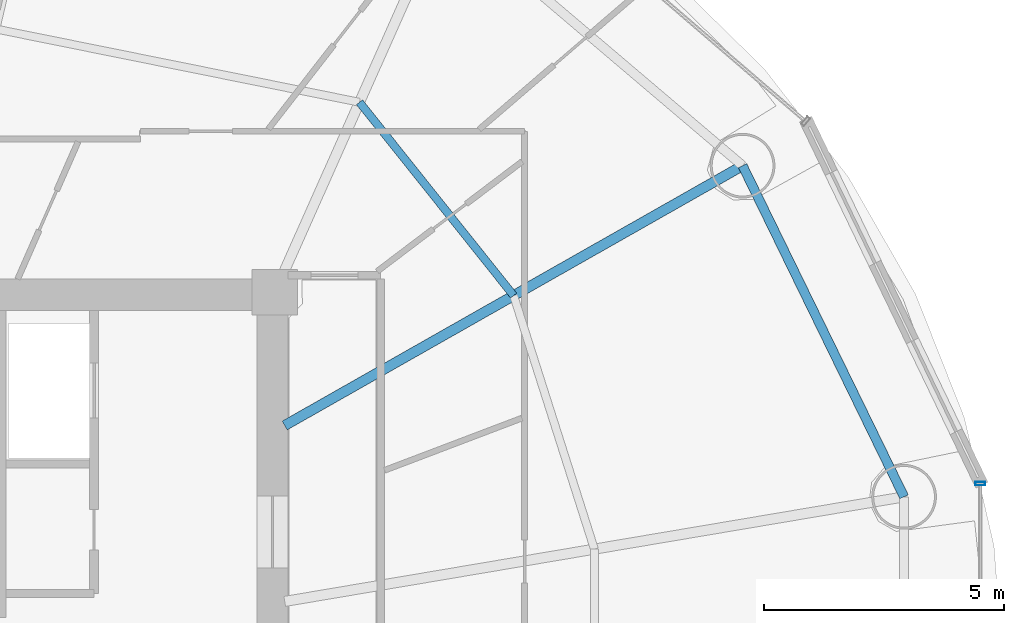
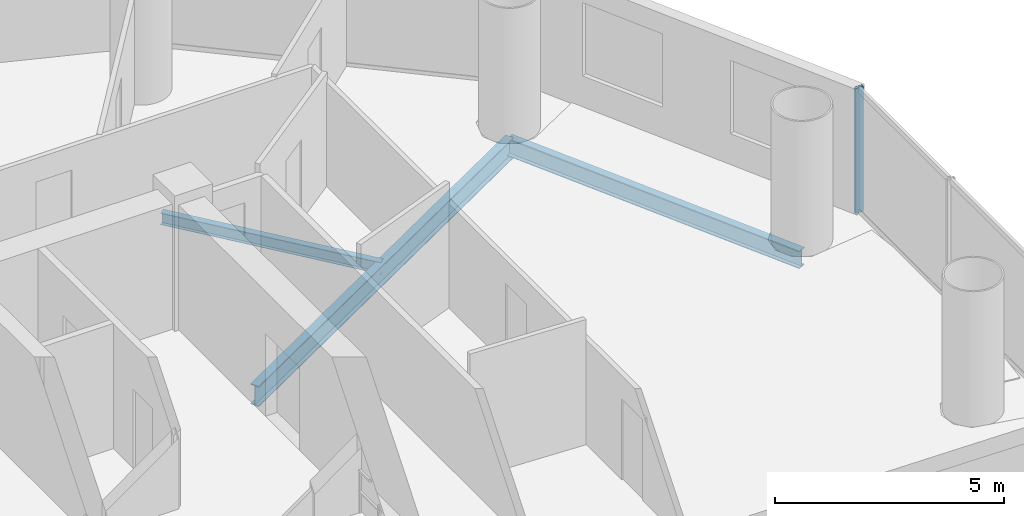
# One storey, part 13 of 26: 3 beams, 1 member, 1 element without a shape of its own.
"""IFC4 building model written with IfcOpenShell, lengths in metres."""

from ifc_helpers import new_model, si_unit, direction, frame, origin, origin_2d, place, context, subcontext, project, spatial, hollow_rectangle, i_section, extrude, source, transform, mapped, material, material_profile, profile_set, type_object, element, aggregate, save


model = new_model("IFC4")

# Units and contexts
model_context = context("Model", 3, precision=1e-05, world=origin(), true_north=direction((-0.2419218956, 0.970295726276)))
body_context = subcontext(model_context, "Body", "Model", "MODEL_VIEW")
ifc_project = project(units=[si_unit("LENGTHUNIT", "METRE"), si_unit("AREAUNIT", "SQUARE_METRE"), si_unit("VOLUMEUNIT", "CUBIC_METRE"), si_unit("PLANEANGLEUNIT", "RADIAN"), si_unit("MASSUNIT", "GRAM", prefix="KILO")], contexts=[model_context])

# Site, building, storey
site_placement = place(None, origin())
site = spatial("IfcSite", under=ifc_project, at=site_placement, CompositionType="ELEMENT")
building_placement = place(site_placement, origin())
building = spatial("IfcBuilding", under=site, at=building_placement, Name="Cobrevalo Terracotta Tower", CompositionType="ELEMENT")
storey_placement = place(building_placement, frame((0.0, 0.0, 178.60009765625)))
storey = spatial("IfcBuildingStorey", under=building, at=storey_placement, Name="L47", CompositionType="ELEMENT", Elevation=178.60009765625)

# Beams
ifc_material_1 = material(Name="Steel S355", Category="steel")
ifc_material_profile_1 = material_profile(ifc_material_1, i_section(OverallWidth=0.2109375, OverallDepth=0.5390625, WebThickness=0.01171875, FlangeThickness=0.018798828125, at=origin_2d()), Name="W 530x109")
ifc_profile_set_1 = profile_set([ifc_material_profile_1], Name="Steel S355")
beam_type_1 = type_object("IfcBeamType", Name="Structural Beam W 530x109 (Steel S355)", PredefinedType="BEAM", material=ifc_profile_set_1)
beam_1_placement = place(storey_placement, frame((56.749755859375, 37.439208984375, -0.53955078125), z_axis=(-0.869734177783, -0.493520475762, 0.0), x_axis=(0.493520475762, -0.869734177783, 0.0)))
element("IfcBeam", 1, at=beam_1_placement, inside=storey, type_object=beam_type_1, Name="L47 radial floor girder 02", PredefinedType="BEAM", context=body_context, shape_type="SweptSolid", body=[
    extrude(i_section(OverallWidth=0.2109375, OverallDepth=0.5390625, WebThickness=0.01171875, FlangeThickness=0.018798828125, at=origin_2d()), origin(), (0.0, 0.0, 1.0), 10.974365234375),
])
ifc_material_profile_2 = material_profile(ifc_material_1, i_section(OverallWidth=0.1650390625, OverallDepth=0.31005859375, WebThickness=0.005859375, FlangeThickness=0.009765625, at=origin_2d()), Name="W 310x38.7")
ifc_profile_set_2 = profile_set([ifc_material_profile_2], Name="Steel S355")
beam_type_2 = type_object("IfcBeamType", Name="Structural Joist W 310x38.7 (Steel S355)", PredefinedType="JOIST", material=ifc_profile_set_2)
beam_2_placement = place(storey_placement, frame((51.977294921875, 34.731201171875, -0.425048828125), z_axis=(-0.62340602772, 0.781898282773, 0.0), x_axis=(-0.781898282773, -0.62340602772, 0.0)))
element("IfcBeam", 2, at=beam_2_placement, inside=storey, type_object=beam_type_2, Name="L47 circumferential secondary floor joist 02", PredefinedType="JOIST", context=body_context, shape_type="SweptSolid", body=[
    extrude(i_section(OverallWidth=0.1650390625, OverallDepth=0.31005859375, WebThickness=0.005859375, FlangeThickness=0.009765625, at=origin_2d()), origin(), (0.0, 0.0, 1.0), 5.154052734375),
])
ifc_material_profile_3 = material_profile(ifc_material_1, i_section(OverallWidth=0.194091796875, OverallDepth=0.468994140625, WebThickness=0.011474609375, FlangeThickness=0.0205078125, at=origin_2d()), Name="W 460x106")
ifc_profile_set_3 = profile_set([ifc_material_profile_3], Name="Steel S355")
beam_type_3 = type_object("IfcBeamType", Name="Structural Spandrel W 460x106 (Steel S355)", PredefinedType="SPANDREL", material=ifc_profile_set_3)
beam_3_placement = place(storey_placement, frame((60.11669921875, 30.535888671875, -0.504638671875), z_axis=(-0.438367894028, 0.89879563277, 0.0), x_axis=(-0.89879563277, -0.438367894028, 0.0)))
element("IfcBeam", 3, at=beam_3_placement, inside=storey, type_object=beam_type_3, Name="L47 perimeter ring spandrel 01", PredefinedType="SPANDREL", context=body_context, shape_type="SweptSolid", body=[
    extrude(i_section(OverallWidth=0.194091796875, OverallDepth=0.468994140625, WebThickness=0.011474609375, FlangeThickness=0.0205078125, at=origin_2d()), origin(), (0.0, 0.0, 1.0), 7.6806640625),
])

# Curtain wall, member
ifc_material_2 = material(Name="Anodized aluminium", Category="aluminium")
curtain_wall_type = type_object("IfcCurtainWallType", Name="Mid-tower high-wind unitised curtain wall CW-U2", PredefinedType="NOTDEFINED", material=ifc_material_2)
curtain_wall_placement = place(storey_placement, origin())
curtain_wall = element("IfcCurtainWall", 4, at=curtain_wall_placement, inside=storey, type_object=curtain_wall_type, Name="L47 curtain wall CW-L47-S16", PredefinedType="NOTDEFINED")
ifc_material_profile_4 = material_profile(ifc_material_2, hollow_rectangle(XDim=0.074951171875, YDim=0.199951171875, WallThickness=0.0048828125, at=origin_2d()), Name="CWM 75x200")
ifc_profile_set_4 = profile_set([ifc_material_profile_4], Name="Anodized aluminium")
member_type = type_object("IfcMemberType", Name="Lower/mid tower unitised mullion 75x200", PredefinedType="MULLION", material=ifc_profile_set_4)
shared_shape = source(origin(), body_context, "Body", "SweptSolid", [
    extrude(hollow_rectangle(XDim=0.074951171875, YDim=0.199951171875, WallThickness=0.0048828125, at=origin_2d()), origin(), (0.0, 0.0, 1.0), 3.329833984375),
])
member_placement = place(storey_placement, frame((61.70556640625, 30.81201171875, 0.0), z_axis=(0.0, 0.0, 1.0), x_axis=(0.0, 1.0, 0.0)))
member = element("IfcMember", 5, at=member_placement, type_object=member_type, Name="CW-L47-S16 vertical mullion 03", PredefinedType="MULLION", context=body_context, shape_type="MappedRepresentation", body=[
    mapped(shared_shape, transform((0.0, 0.0, 0.0), scale=1.0)),
])
aggregate(curtain_wall, [member])

save(model, "model.ifc")
